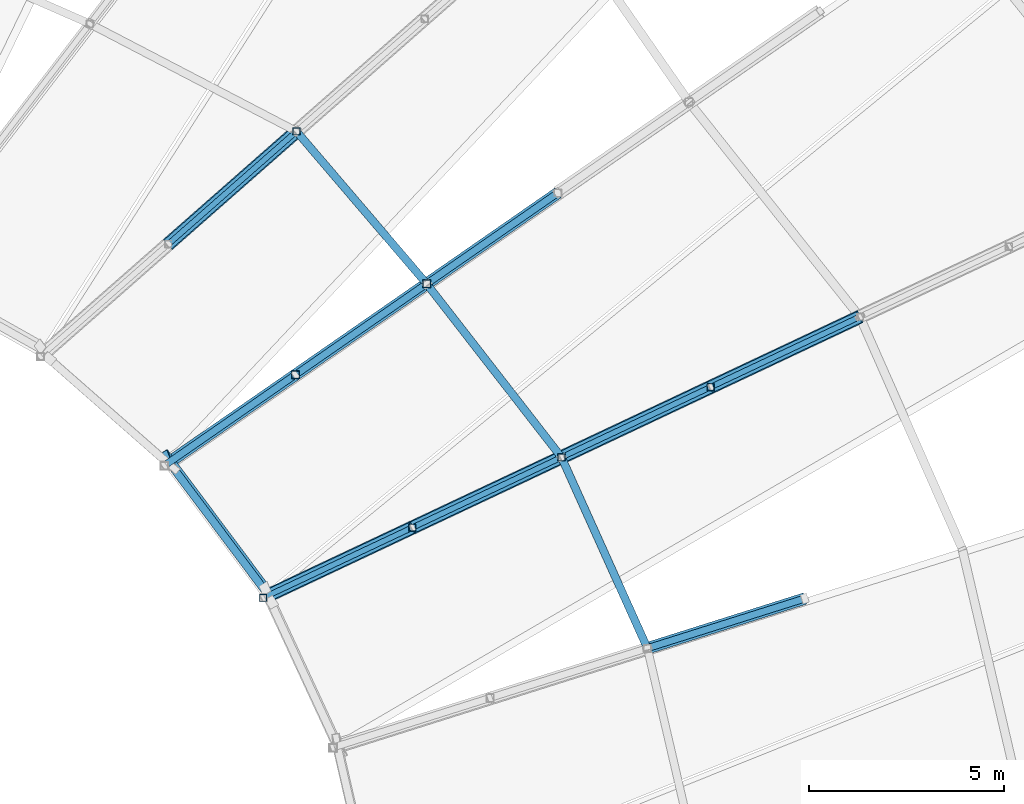
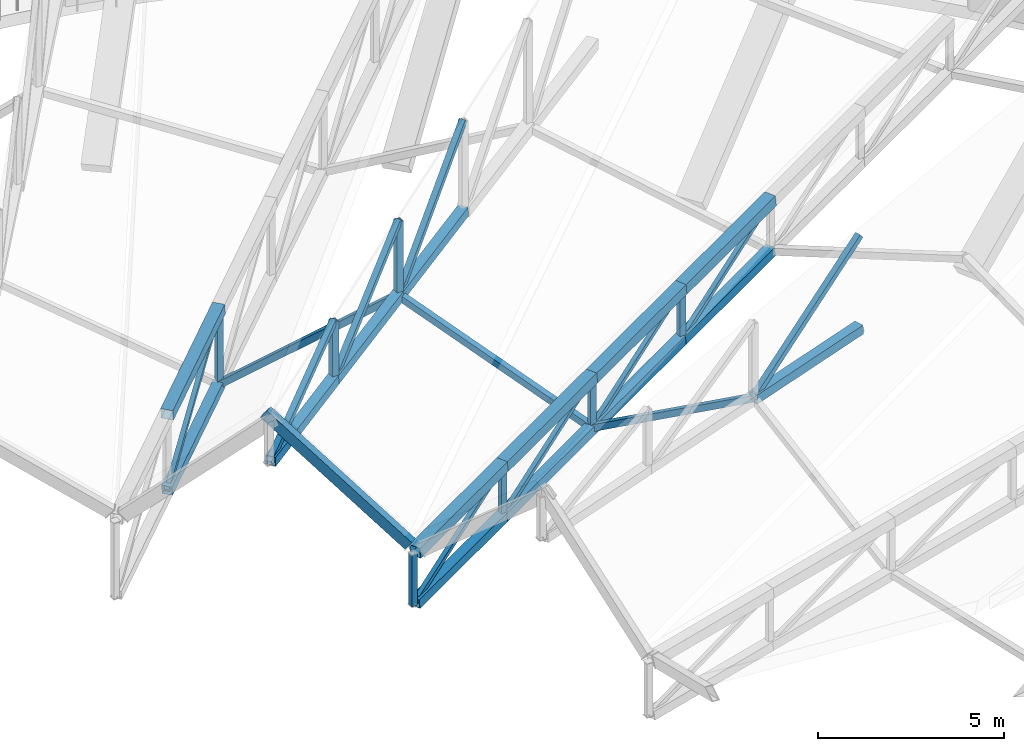
# One storey, part 186 of 344: 33 members, 1 beam.
"""IFC4 building model written with IfcOpenShell, lengths in metres."""

from ifc_helpers import new_model, si_unit, direction, frame, origin, origin_2d, place, context, subcontext, project, spatial, hollow_rectangle, extrude, material, material_profile, profile_set, type_object, element, save


model = new_model("IFC4")

# Units and contexts
model_context = context("Model", 3, precision=1e-05, world=origin(), true_north=direction((0.0, 1.0)))
body_context = subcontext(model_context, "Body", "Model", "MODEL_VIEW")
ifc_project = project(units=[si_unit("LENGTHUNIT", "METRE"), si_unit("AREAUNIT", "SQUARE_METRE"), si_unit("VOLUMEUNIT", "CUBIC_METRE"), si_unit("PLANEANGLEUNIT", "RADIAN"), si_unit("MASSUNIT", "GRAM", prefix="KILO")], contexts=[model_context])

# Site, building, storey
site_placement = place(None, origin())
site = spatial("IfcSite", under=ifc_project, at=site_placement, CompositionType="ELEMENT")
building_placement = place(site_placement, origin())
building = spatial("IfcBuilding", under=site, at=building_placement, Name="Meseta Stadium", CompositionType="ELEMENT")
storey_placement = place(building_placement, frame((0.0, 0.0, 24.0)))
storey = spatial("IfcBuildingStorey", under=building, at=storey_placement, Name="L04", CompositionType="ELEMENT", Elevation=24.0)

# Beam
ifc_material_1 = material(Name="Steel S355", Category="steel")
ifc_material_profile_1 = material_profile(ifc_material_1, hollow_rectangle(XDim=0.199951171875, YDim=0.39990234375, WallThickness=0.01611328125, at=origin_2d()), Name="RHS 400x200x16")
ifc_profile_set_1 = profile_set([ifc_material_profile_1], Name="Steel S355")
beam_type = type_object("IfcBeamType", Name="RHS 400x200x16 tip ring beam", PredefinedType="BEAM", material=ifc_profile_set_1)
beam_placement = place(storey_placement, frame((44.15283203125, 55.817626953125, 4.232177734375), z_axis=(-0.479896094114, 0.641998840891, 0.597944167251), x_axis=(-0.847396964492, -0.515691360302, -0.126415210638)))
element("IfcBeam", 1, at=beam_placement, inside=storey, type_object=beam_type, Name="TIP RING BEAM 12", PredefinedType="BEAM", context=body_context, shape_type="SweptSolid", body=[
    extrude(hollow_rectangle(XDim=0.199951171875, YDim=0.39990234375, WallThickness=0.01611328125, at=origin_2d()), origin(), (0.0, 0.0, 1.0), 5.29248046875),
])

# Members
ifc_material_2 = material(Name="Steel S355", Category="steel")
ifc_material_profile_2 = material_profile(ifc_material_2, hollow_rectangle(XDim=0.139892578125, YDim=0.139892578125, WallThickness=0.0048828125, at=origin_2d()), Name="SHS 140x140x5")
ifc_profile_set_2 = profile_set([ifc_material_profile_2], Name="Steel S355")
member_type_1 = type_object("IfcMemberType", Name="SHS 140x140x5 diagonal", PredefinedType="BRACE", material=ifc_profile_set_2)
for number, where, z_axis, x_axis, name in (
    (2, (44.108154296875, 55.580810546875, 2.403564453125), (0.804671329976, 0.379086858084, 0.456943327715), (-0.426181724525, 0.904637572556, 0.0), "ROOF TRUSS RT-11 diagonal"),
    (3, (47.92333984375, 57.378173828125, 2.890380859375), (0.804687036619, 0.379042764226, 0.456952246942), (-0.426134347878, 0.904659890544, 0.0), "ROOF TRUSS RT-11 diagonal"),
):
    element("IfcMember", number, at=place(storey_placement, frame(where, z_axis=z_axis, x_axis=x_axis)), inside=storey, type_object=member_type_1, Name=name, PredefinedType="BRACE", context=body_context, shape_type="SweptSolid", body=[
        extrude(hollow_rectangle(XDim=0.139892578125, YDim=0.139892578125, WallThickness=0.0048828125, at=origin_2d()), origin(), (0.0, 0.0, 1.0), 4.7412109375),
    ])
member_1_placement = place(storey_placement, frame((51.738525390625, 59.17529296875, 3.377197265625), z_axis=(0.804689480118, 0.379071151307, 0.456924395096), x_axis=(-0.426159406887, 0.904648086231, 0.0)))
element("IfcMember", 4, at=member_1_placement, inside=storey, type_object=member_type_1, Name="ROOF TRUSS RT-11 diagonal", PredefinedType="BRACE", context=body_context, shape_type="SweptSolid", body=[
    extrude(hollow_rectangle(XDim=0.139892578125, YDim=0.139892578125, WallThickness=0.0048828125, at=origin_2d()), origin(), (0.0, 0.0, 1.0), 4.741455078125),
])
member_2_placement = place(storey_placement, frame((55.553955078125, 60.97265625, 3.864013671875), z_axis=(0.804687036619, 0.379042764226, 0.456952246942), x_axis=(-0.426134347878, 0.904659890544, 0.0)))
element("IfcMember", 5, at=member_2_placement, inside=storey, type_object=member_type_1, Name="ROOF TRUSS RT-11 diagonal", PredefinedType="BRACE", context=body_context, shape_type="SweptSolid", body=[
    extrude(hollow_rectangle(XDim=0.139892578125, YDim=0.139892578125, WallThickness=0.0048828125, at=origin_2d()), origin(), (0.0, 0.0, 1.0), 4.7412109375),
])
member_3_placement = place(storey_placement, frame((41.68310546875, 64.63232421875, 1.5107421875), z_axis=(0.612525461727, 0.538281334019, 0.578848653953), x_axis=(-0.660115564574, 0.751164057585, 0.0)))
element("IfcMember", 6, at=member_3_placement, inside=storey, type_object=member_type_1, Name="ROOF TRUSS RT-13 diagonal", PredefinedType="BRACE", context=body_context, shape_type="SweptSolid", body=[
    extrude(hollow_rectangle(XDim=0.139892578125, YDim=0.139892578125, WallThickness=0.0048828125, at=origin_2d()), origin(), (0.0, 0.0, 1.0), 5.35009765625),
])
ifc_material_3 = material(Name="Steel S355", Category="steel")
ifc_material_profile_3 = material_profile(ifc_material_3, hollow_rectangle(XDim=0.179931640625, YDim=0.179931640625, WallThickness=0.00634765625, at=origin_2d()), Name="SHS 180x180x6.3")
ifc_profile_set_3 = profile_set([ifc_material_profile_3], Name="Steel S355")
member_type_2 = type_object("IfcMemberType", Name="SHS 180x180x6.3 diagonal", PredefinedType="BRACE", material=ifc_profile_set_3)
member_4_placement = place(storey_placement, frame((53.93603515625, 54.2919921875, 6.5390625), z_axis=(0.76283588036, 0.240863891155, 0.600055002124), x_axis=(-0.301095390886, 0.953594025562, 0.0)))
element("IfcMember", 7, at=member_4_placement, inside=storey, type_object=member_type_2, Name="ROOF TRUSS RT-10 diagonal", PredefinedType="BRACE", context=body_context, shape_type="SweptSolid", body=[
    extrude(hollow_rectangle(XDim=0.179931640625, YDim=0.179931640625, WallThickness=0.00634765625, at=origin_2d()), origin(), (0.0, 0.0, 1.0), 5.27783203125),
])
member_5_placement = place(storey_placement, frame((41.57958984375, 58.963623046875, 5.88916015625), z_axis=(0.730621041473, 0.506309429337, 0.458086951923), x_axis=(-0.569586254046, 0.821931566009, 0.0)))
element("IfcMember", 8, at=member_5_placement, inside=storey, type_object=member_type_2, Name="ROOF TRUSS RT-12 diagonal", PredefinedType="BRACE", context=body_context, shape_type="SweptSolid", body=[
    extrude(hollow_rectangle(XDim=0.179931640625, YDim=0.179931640625, WallThickness=0.00634765625, at=origin_2d()), origin(), (0.0, 0.0, 1.0), 4.592041015625),
])
member_6_placement = place(storey_placement, frame((44.9345703125, 61.28857421875, 6.068115234375), z_axis=(0.691081472043, 0.478924539019, 0.541329552975), x_axis=(-0.569598658516, 0.821922969759, 0.0)))
element("IfcMember", 9, at=member_6_placement, inside=storey, type_object=member_type_2, Name="ROOF TRUSS RT-12 diagonal", PredefinedType="BRACE", context=body_context, shape_type="SweptSolid", body=[
    extrude(hollow_rectangle(XDim=0.179931640625, YDim=0.179931640625, WallThickness=0.00634765625, at=origin_2d()), origin(), (0.0, 0.0, 1.0), 4.85498046875),
])
member_7_placement = place(storey_placement, frame((48.289794921875, 63.61376953125, 6.246826171875), z_axis=(0.650463916324, 0.450761743207, 0.611318693008), x_axis=(-0.569586254046, 0.821931566009, 0.0)))
element("IfcMember", 10, at=member_7_placement, inside=storey, type_object=member_type_2, Name="ROOF TRUSS RT-12 diagonal", PredefinedType="BRACE", context=body_context, shape_type="SweptSolid", body=[
    extrude(hollow_rectangle(XDim=0.179931640625, YDim=0.179931640625, WallThickness=0.00634765625, at=origin_2d()), origin(), (0.0, 0.0, 1.0), 5.15771484375),
])
ifc_material_4 = material(Name="Steel S355", Category="steel")
ifc_material_profile_4 = material_profile(ifc_material_4, hollow_rectangle(XDim=0.179931640625, YDim=0.179931640625, WallThickness=0.00634765625, at=origin_2d()), Name="SHS 180x180x6.3")
ifc_profile_set_4 = profile_set([ifc_material_profile_4], Name="Steel S355")
member_type_3 = type_object("IfcMemberType", Name="SHS 180x180x6.3 post", PredefinedType="POST", material=ifc_profile_set_4)
for number, where, z_axis, x_axis, name in (
    (11, (47.92333984375, 57.378173828125, 2.890380859375), (0.0, 0.0, 1.0), (1.0, 0.0, 0.0), "ROOF TRUSS RT-11 post"),
    (12, (51.738525390625, 59.17529296875, 3.377197265625), (0.0, 0.0, 1.0), (1.0, 0.0, 0.0), "ROOF TRUSS RT-11 post"),
    (13, (55.553955078125, 60.97265625, 3.864013671875), (0.0, 0.0, 1.0), (1.0, 0.0, 0.0), "ROOF TRUSS RT-11 post"),
):
    element("IfcMember", number, at=place(storey_placement, frame(where, z_axis=z_axis, x_axis=x_axis)), inside=storey, type_object=member_type_3, Name=name, PredefinedType="POST", context=body_context, shape_type="SweptSolid", body=[
        extrude(hollow_rectangle(XDim=0.179931640625, YDim=0.179931640625, WallThickness=0.00634765625, at=origin_2d()), origin(), (0.0, 0.0, 1.0), 1.6796875),
    ])
member_8_placement = place(storey_placement, frame((44.960205078125, 67.51220703125, 2.114013671875), z_axis=(0.0, 0.0, 1.0), x_axis=(1.0, 0.0, 0.0)))
element("IfcMember", 14, at=member_8_placement, inside=storey, type_object=member_type_3, Name="ROOF TRUSS RT-13 post", PredefinedType="POST", context=body_context, shape_type="SweptSolid", body=[
    extrude(hollow_rectangle(XDim=0.179931640625, YDim=0.179931640625, WallThickness=0.00634765625, at=origin_2d()), origin(), (0.0, 0.0, 1.0), 2.49365234375),
])
ifc_material_5 = material(Name="Steel S355", Category="steel")
ifc_material_profile_5 = material_profile(ifc_material_5, hollow_rectangle(XDim=0.179931640625, YDim=0.179931640625, WallThickness=0.00634765625, at=origin_2d()), Name="SHS 180x180x6.3")
ifc_profile_set_5 = profile_set([ifc_material_profile_5], Name="Steel S355")
member_type_4 = type_object("IfcMemberType", Name="SHS 180x180x6.3 rim post", PredefinedType="POST", material=ifc_profile_set_5)
member_9_placement = place(storey_placement, frame((44.108154296875, 55.580810546875, 2.403564453125), z_axis=(0.0, 0.0, 1.0), x_axis=(1.0, 0.0, 0.0)))
element("IfcMember", 15, at=member_9_placement, inside=storey, type_object=member_type_4, Name="ROOF TRUSS RT-11 post", PredefinedType="POST", context=body_context, shape_type="SweptSolid", body=[
    extrude(hollow_rectangle(XDim=0.179931640625, YDim=0.179931640625, WallThickness=0.00634765625, at=origin_2d()), origin(), (0.0, 0.0, 1.0), 1.679443359375),
])
ifc_material_6 = material(Name="Steel S355", Category="steel")
ifc_material_profile_6 = material_profile(ifc_material_6, hollow_rectangle(XDim=0.199951171875, YDim=0.199951171875, WallThickness=0.008056640625, at=origin_2d()), Name="SHS 200x200x8")
ifc_profile_set_6 = profile_set([ifc_material_profile_6], Name="Steel S355")
member_type_5 = type_object("IfcMemberType", Name="SHS 200x200x8 post", PredefinedType="POST", material=ifc_profile_set_6)
member_10_placement = place(storey_placement, frame((44.9345703125, 61.28857421875, 6.068115234375), z_axis=(0.0, 0.0, 1.0), x_axis=(1.0, 0.0, 0.0)))
element("IfcMember", 16, at=member_10_placement, inside=storey, type_object=member_type_5, Name="ROOF TRUSS RT-12 post", PredefinedType="POST", context=body_context, shape_type="SweptSolid", body=[
    extrude(hollow_rectangle(XDim=0.199951171875, YDim=0.199951171875, WallThickness=0.008056640625, at=origin_2d()), origin(), (0.0, 0.0, 1.0), 1.924560546875),
])
member_11_placement = place(storey_placement, frame((48.289794921875, 63.61376953125, 6.246826171875), z_axis=(0.0, 0.0, 1.0), x_axis=(1.0, 0.0, 0.0)))
element("IfcMember", 17, at=member_11_placement, inside=storey, type_object=member_type_5, Name="ROOF TRUSS RT-12 post", PredefinedType="POST", context=body_context, shape_type="SweptSolid", body=[
    extrude(hollow_rectangle(XDim=0.199951171875, YDim=0.199951171875, WallThickness=0.008056640625, at=origin_2d()), origin(), (0.0, 0.0, 1.0), 2.449462890625),
])
ifc_material_7 = material(Name="Steel S355", Category="steel")
ifc_material_profile_7 = material_profile(ifc_material_7, hollow_rectangle(XDim=0.199951171875, YDim=0.199951171875, WallThickness=0.008056640625, at=origin_2d()), Name="SHS 200x200x8")
ifc_profile_set_7 = profile_set([ifc_material_profile_7], Name="Steel S355")
member_type_6 = type_object("IfcMemberType", Name="SHS 200x200x8 strut", PredefinedType="STRUT", material=ifc_profile_set_7)
member_12_placement = place(storey_placement, frame((53.93603515625, 54.2919921875, 6.5390625), z_axis=(-0.353367418202, 0.785252205185, -0.508439221545), x_axis=(-0.911919799043, -0.410368468712, 0.0)))
element("IfcMember", 18, at=member_12_placement, inside=storey, type_object=member_type_6, Name="ROOF TRUSS STRUT RT-10/11", PredefinedType="STRUT", context=body_context, shape_type="SweptSolid", body=[
    extrude(hollow_rectangle(XDim=0.199951171875, YDim=0.199951171875, WallThickness=0.008056640625, at=origin_2d()), origin(), (0.0, 0.0, 1.0), 6.21875),
])
member_13_placement = place(storey_placement, frame((51.738525390625, 59.17529296875, 3.377197265625), z_axis=(-0.54646431772, 0.703293309935, 0.454703496423), x_axis=(-0.78964681566, -0.613561656656, 0.0)))
element("IfcMember", 19, at=member_13_placement, inside=storey, type_object=member_type_6, Name="ROOF TRUSS STRUT RT-11/12", PredefinedType="STRUT", context=body_context, shape_type="SweptSolid", body=[
    extrude(hollow_rectangle(XDim=0.199951171875, YDim=0.199951171875, WallThickness=0.008056640625, at=origin_2d()), origin(), (0.0, 0.0, 1.0), 6.31103515625),
])
member_14_placement = place(storey_placement, frame((48.289794921875, 63.61376953125, 6.246826171875), z_axis=(-0.505621410926, 0.592004889988, -0.62759636634), x_axis=(-0.760405033979, -0.649449139116, 0.0)))
element("IfcMember", 20, at=member_14_placement, inside=storey, type_object=member_type_6, Name="ROOF TRUSS STRUT RT-12/13", PredefinedType="STRUT", context=body_context, shape_type="SweptSolid", body=[
    extrude(hollow_rectangle(XDim=0.199951171875, YDim=0.199951171875, WallThickness=0.008056640625, at=origin_2d()), origin(), (0.0, 0.0, 1.0), 6.585205078125),
])
ifc_material_8 = material(Name="Steel S355", Category="steel")
ifc_material_profile_8 = material_profile(ifc_material_8, hollow_rectangle(XDim=0.300048828125, YDim=0.300048828125, WallThickness=0.010009765625, at=origin_2d()), Name="SHS 300x300x10")
ifc_profile_set_8 = profile_set([ifc_material_profile_8], Name="Steel S355")
member_type_7 = type_object("IfcMemberType", Name="SHS 300x300x10 bottom chord", PredefinedType="CHORD", material=ifc_profile_set_8)
member_15_placement = place(storey_placement, frame((53.93603515625, 54.2919921875, 6.5390625), z_axis=(0.953192512516, 0.300968613951, 0.02901598698), x_axis=(-0.301095390886, 0.953594025562, 0.0)))
element("IfcMember", 21, at=member_15_placement, inside=storey, type_object=member_type_7, Name="ROOF TRUSS RT-10 bottom chord", PredefinedType="CHORD", context=body_context, shape_type="SweptSolid", body=[
    extrude(hollow_rectangle(XDim=0.300048828125, YDim=0.300048828125, WallThickness=0.010009765625, at=origin_2d()), origin(), (0.0, 0.0, 1.0), 4.223876953125),
])
member_16_placement = place(storey_placement, frame((44.18896484375, 55.619140625, 2.413818359375), z_axis=(0.898692597169, 0.423318525275, 0.114686712191), x_axis=(-0.42613025615, 0.904661817915, 0.0)))
element("IfcMember", 22, at=member_16_placement, inside=storey, type_object=member_type_7, Name="ROOF TRUSS RT-11 bottom chord", PredefinedType="CHORD", context=body_context, shape_type="SweptSolid", body=[
    extrude(hollow_rectangle(XDim=0.300048828125, YDim=0.300048828125, WallThickness=0.010009765625, at=origin_2d()), origin(), (0.0, 0.0, 1.0), 4.1552734375),
])
member_17_placement = place(storey_placement, frame((47.92333984375, 57.378173828125, 2.890380859375), z_axis=(0.89869213364, 0.423323273547, 0.114672817206), x_axis=(-0.426134347878, 0.904659890544, 0.0)))
element("IfcMember", 23, at=member_17_placement, inside=storey, type_object=member_type_7, Name="ROOF TRUSS RT-11 bottom chord", PredefinedType="CHORD", context=body_context, shape_type="SweptSolid", body=[
    extrude(hollow_rectangle(XDim=0.300048828125, YDim=0.300048828125, WallThickness=0.010009765625, at=origin_2d()), origin(), (0.0, 0.0, 1.0), 4.245361328125),
])
member_18_placement = place(storey_placement, frame((51.738525390625, 59.17529296875, 3.377197265625), z_axis=(0.898681317528, 0.423348596087, 0.114664099511), x_axis=(-0.426159406887, 0.904648086231, 0.0)))
element("IfcMember", 24, at=member_18_placement, inside=storey, type_object=member_type_7, Name="ROOF TRUSS RT-11 bottom chord", PredefinedType="CHORD", context=body_context, shape_type="SweptSolid", body=[
    extrude(hollow_rectangle(XDim=0.300048828125, YDim=0.300048828125, WallThickness=0.010009765625, at=origin_2d()), origin(), (0.0, 0.0, 1.0), 4.24560546875),
])
member_19_placement = place(storey_placement, frame((55.553955078125, 60.97265625, 3.864013671875), z_axis=(0.898686205597, 0.42332048118, 0.114729569346), x_axis=(-0.426134347878, 0.904659890544, 0.0)))
element("IfcMember", 25, at=member_19_placement, inside=storey, type_object=member_type_7, Name="ROOF TRUSS RT-11 bottom chord", PredefinedType="CHORD", context=body_context, shape_type="SweptSolid", body=[
    extrude(hollow_rectangle(XDim=0.300048828125, YDim=0.300048828125, WallThickness=0.010009765625, at=origin_2d()), origin(), (0.0, 0.0, 1.0), 4.245361328125),
])
member_20_placement = place(storey_placement, frame((41.66162109375, 59.0205078125, 5.8935546875), z_axis=(0.821147445124, 0.569033251171, 0.043795347103), x_axis=(-0.569579749562, 0.82193607348, 0.0)))
element("IfcMember", 26, at=member_20_placement, inside=storey, type_object=member_type_7, Name="ROOF TRUSS RT-12 bottom chord", PredefinedType="CHORD", context=body_context, shape_type="SweptSolid", body=[
    extrude(hollow_rectangle(XDim=0.300048828125, YDim=0.300048828125, WallThickness=0.010009765625, at=origin_2d()), origin(), (0.0, 0.0, 1.0), 3.98583984375),
])
member_21_placement = place(storey_placement, frame((44.9345703125, 61.28857421875, 6.068115234375), z_axis=(0.821136469786, 0.569053608255, 0.043736585599), x_axis=(-0.569598658516, 0.821922969759, 0.0)))
element("IfcMember", 27, at=member_21_placement, inside=storey, type_object=member_type_7, Name="ROOF TRUSS RT-12 bottom chord", PredefinedType="CHORD", context=body_context, shape_type="SweptSolid", body=[
    extrude(hollow_rectangle(XDim=0.300048828125, YDim=0.300048828125, WallThickness=0.010009765625, at=origin_2d()), origin(), (0.0, 0.0, 1.0), 4.086181640625),
])
member_22_placement = place(storey_placement, frame((48.289794921875, 63.61376953125, 6.246826171875), z_axis=(0.821142779412, 0.569039636759, 0.043799858631), x_axis=(-0.569586254046, 0.821931566009, 0.0)))
element("IfcMember", 28, at=member_22_placement, inside=storey, type_object=member_type_7, Name="ROOF TRUSS RT-12 bottom chord", PredefinedType="CHORD", context=body_context, shape_type="SweptSolid", body=[
    extrude(hollow_rectangle(XDim=0.300048828125, YDim=0.300048828125, WallThickness=0.010009765625, at=origin_2d()), origin(), (0.0, 0.0, 1.0), 4.085693359375),
])
member_23_placement = place(storey_placement, frame((41.68310546875, 64.63232421875, 1.5107421875), z_axis=(0.744083842422, 0.653893541325, 0.136976173331), x_axis=(-0.660115564574, 0.751164057585, 0.0)))
element("IfcMember", 29, at=member_23_placement, inside=storey, type_object=member_type_7, Name="ROOF TRUSS RT-13 bottom chord", PredefinedType="CHORD", context=body_context, shape_type="SweptSolid", body=[
    extrude(hollow_rectangle(XDim=0.300048828125, YDim=0.300048828125, WallThickness=0.010009765625, at=origin_2d()), origin(), (0.0, 0.0, 1.0), 4.404296875),
])
ifc_material_9 = material(Name="Steel S355", Category="steel")
ifc_material_profile_9 = material_profile(ifc_material_9, hollow_rectangle(XDim=0.35009765625, YDim=0.35009765625, WallThickness=0.010009765625, at=origin_2d()), Name="SHS 350x350x10")
ifc_profile_set_9 = profile_set([ifc_material_profile_9], Name="Steel S355")
member_type_8 = type_object("IfcMemberType", Name="SHS 350x350x10 top chord", PredefinedType="CHORD", material=ifc_profile_set_9)
member_24_placement = place(storey_placement, frame((44.18896484375, 55.619140625, 4.093505859375), z_axis=(0.898692597169, 0.423318525275, 0.114686712191), x_axis=(-0.42613025615, 0.904661817915, 0.0)))
element("IfcMember", 30, at=member_24_placement, inside=storey, type_object=member_type_8, Name="ROOF TRUSS RT-11 top chord", PredefinedType="CHORD", context=body_context, shape_type="SweptSolid", body=[
    extrude(hollow_rectangle(XDim=0.35009765625, YDim=0.35009765625, WallThickness=0.010009765625, at=origin_2d()), origin(), (0.0, 0.0, 1.0), 4.1552734375),
])
member_25_placement = place(storey_placement, frame((47.92333984375, 57.378173828125, 4.570068359375), z_axis=(0.89869213364, 0.423323273547, 0.114672817206), x_axis=(-0.426134347878, 0.904659890544, 0.0)))
element("IfcMember", 31, at=member_25_placement, inside=storey, type_object=member_type_8, Name="ROOF TRUSS RT-11 top chord", PredefinedType="CHORD", context=body_context, shape_type="SweptSolid", body=[
    extrude(hollow_rectangle(XDim=0.35009765625, YDim=0.35009765625, WallThickness=0.010009765625, at=origin_2d()), origin(), (0.0, 0.0, 1.0), 4.245361328125),
])
member_26_placement = place(storey_placement, frame((51.738525390625, 59.17529296875, 5.056884765625), z_axis=(0.898681317528, 0.423348596087, 0.114664099511), x_axis=(-0.426159406887, 0.904648086231, 0.0)))
element("IfcMember", 32, at=member_26_placement, inside=storey, type_object=member_type_8, Name="ROOF TRUSS RT-11 top chord", PredefinedType="CHORD", context=body_context, shape_type="SweptSolid", body=[
    extrude(hollow_rectangle(XDim=0.35009765625, YDim=0.35009765625, WallThickness=0.010009765625, at=origin_2d()), origin(), (0.0, 0.0, 1.0), 4.24560546875),
])
member_27_placement = place(storey_placement, frame((55.553955078125, 60.97265625, 5.543701171875), z_axis=(0.89869213364, 0.423323273547, 0.114672817206), x_axis=(-0.426134347878, 0.904659890544, 0.0)))
element("IfcMember", 33, at=member_27_placement, inside=storey, type_object=member_type_8, Name="ROOF TRUSS RT-11 top chord", PredefinedType="CHORD", context=body_context, shape_type="SweptSolid", body=[
    extrude(hollow_rectangle(XDim=0.35009765625, YDim=0.35009765625, WallThickness=0.010009765625, at=origin_2d()), origin(), (0.0, 0.0, 1.0), 4.245361328125),
])
member_28_placement = place(storey_placement, frame((41.68310546875, 64.63232421875, 4.00439453125), z_axis=(0.744083842422, 0.653893541325, 0.136976173331), x_axis=(-0.660115564574, 0.751164057585, 0.0)))
element("IfcMember", 34, at=member_28_placement, inside=storey, type_object=member_type_8, Name="ROOF TRUSS RT-13 top chord", PredefinedType="CHORD", context=body_context, shape_type="SweptSolid", body=[
    extrude(hollow_rectangle(XDim=0.35009765625, YDim=0.35009765625, WallThickness=0.010009765625, at=origin_2d()), origin(), (0.0, 0.0, 1.0), 4.404296875),
])

save(model, "model.ifc")
